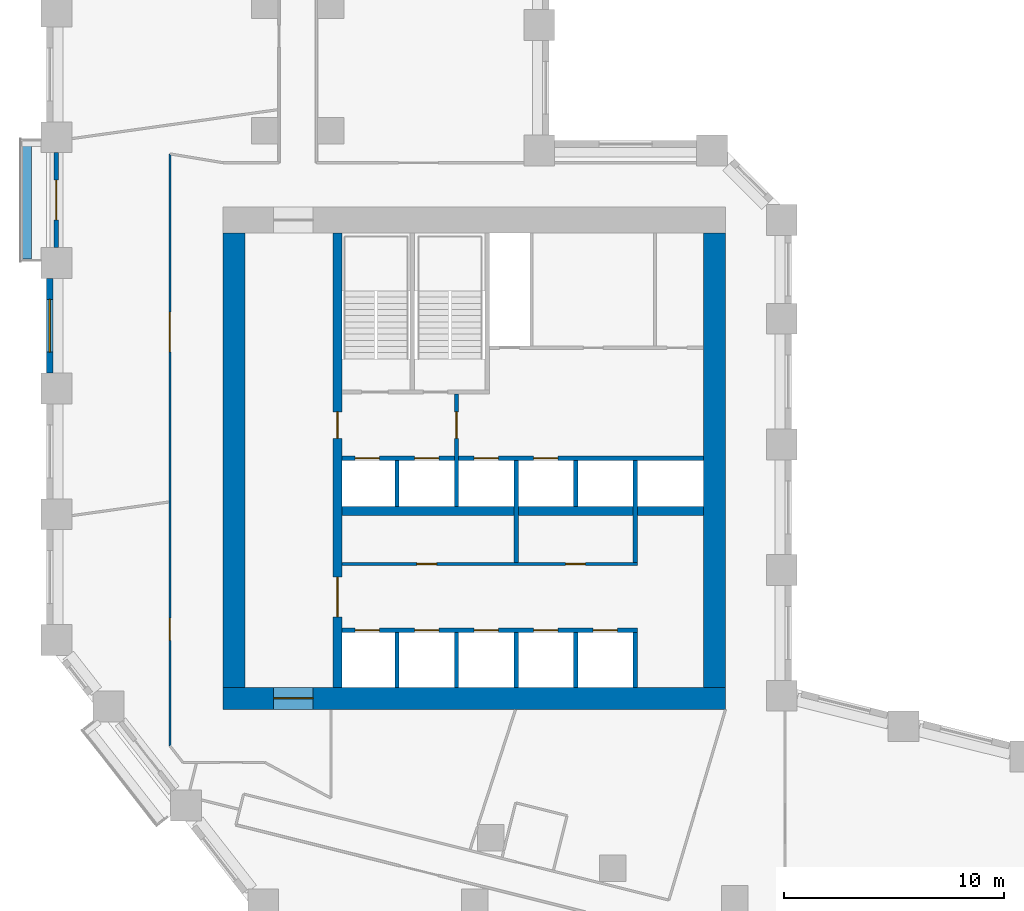
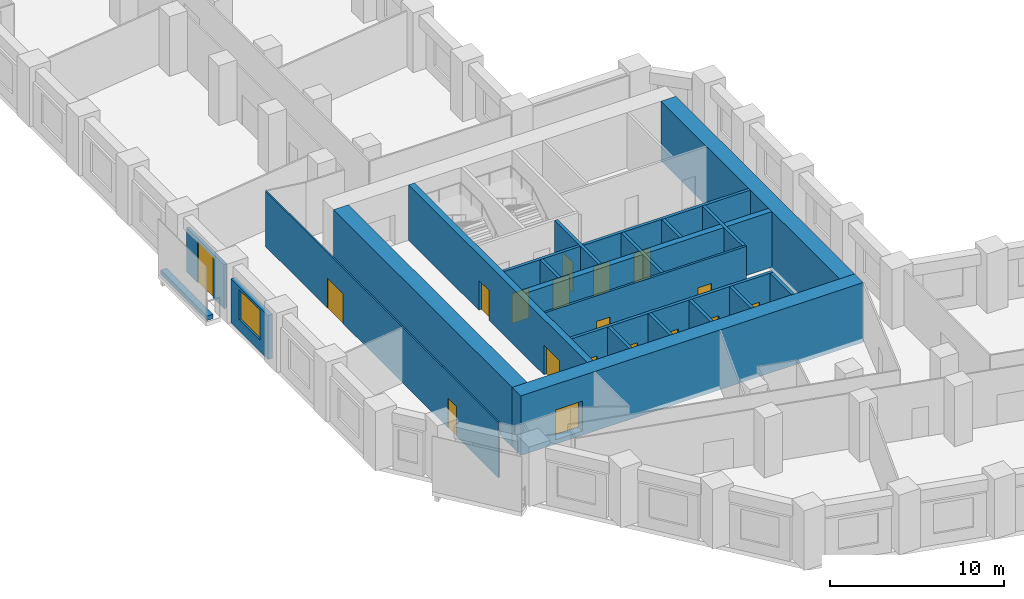
# One storey, part 5 of 12: 22 walls, 18 doors, 1 window, 19 openings.
"""IFC4 building model written with IfcOpenShell, lengths in metres."""

from ifc_helpers import new_model, si_unit, direction, frame, frame_2d, origin, place, context, subcontext, project, spatial, rectangle, extrude, material, layer, layer_set, type_object, element, fill, save


model = new_model("IFC4")

# Units and contexts
model_context = context("Model", 3, precision=1e-05, world=origin(), true_north=direction((0.0, 1.0)))
body_context = subcontext(model_context, "Body", "Model", "MODEL_VIEW")
ifc_project = project(units=[si_unit("LENGTHUNIT", "METRE"), si_unit("AREAUNIT", "SQUARE_METRE"), si_unit("VOLUMEUNIT", "CUBIC_METRE"), si_unit("PLANEANGLEUNIT", "RADIAN"), si_unit("MASSUNIT", "GRAM", prefix="KILO")], contexts=[model_context])

# Site, building, storey
site_placement = place(None, origin())
site = spatial("IfcSite", under=ifc_project, at=site_placement, CompositionType="ELEMENT")
building_placement = place(site_placement, origin())
building = spatial("IfcBuilding", under=site, at=building_placement, Name="Meshkara Civic Tower", CompositionType="ELEMENT")
storey_placement = place(building_placement, frame((0.0, 0.0, 62.39990234375)))
storey = spatial("IfcBuildingStorey", under=building, at=storey_placement, Name="L13", CompositionType="ELEMENT", Elevation=62.39990234375)

# Wall, openings, doors
ifc_material_1 = material(Name="Blockwork", Category="masonry")
ifc_layer_1 = layer(ifc_material_1, 0.14990234375)
ifc_layer_set_1 = layer_set([ifc_layer_1], Name="Core partition 150")
wall_type_1 = type_object("IfcWallType", Name="Core partition 150", PredefinedType="PARTITIONING", material=ifc_layer_set_1)
wall_1_placement = place(storey_placement, frame((13.39990234375, 20.699951171875, 0.0), z_axis=(0.0, 0.0, 1.0), x_axis=(1.0, 0.0, 0.0)))
wall_1 = element("IfcWall", 1, at=wall_1_placement, inside=storey, type_object=wall_type_1, Name="L13-C006", PredefinedType="PARTITIONING", context=body_context, shape_type="SweptSolid", body=[
    extrude(rectangle(XDim=13.400146484375, YDim=0.14990234375, at=frame_2d((6.7001953125, 0.0))), origin(), (0.0, 0.0, 1.0), 3.900146484375),
])
opening_1_placement = place(wall_1_placement, frame((3.39990234375, 0.0, 0.0)))
opening_1 = element("IfcOpeningElement", 2, at=opening_1_placement, cuts=wall_1, Name="Opening L13-K010", PredefinedType="OPENING", context=body_context, shape_type="SweptSolid", body=[
    extrude(rectangle(XDim=0.89990234375, YDim=2.10009765625, at=frame_2d((0.449951171875, 1.050048828125))), frame((0.0, 0.0849609375, 0.0), z_axis=(0.0, -1.0, 0.0), x_axis=(1.0, 0.0, 0.0)), (0.0, 0.0, 1.0), 0.169921875),
])
opening_2_placement = place(wall_1_placement, frame((10.14990234375, 0.0, 0.0)))
opening_2 = element("IfcOpeningElement", 3, at=opening_2_placement, cuts=wall_1, Name="Opening L13-K011", PredefinedType="OPENING", context=body_context, shape_type="SweptSolid", body=[
    extrude(rectangle(XDim=0.89990234375, YDim=2.10009765625, at=frame_2d((0.449951171875, 1.050048828125))), frame((0.0, 0.0849609375, 0.0), z_axis=(0.0, -1.0, 0.0), x_axis=(1.0, 0.0, 0.0)), (0.0, 0.0, 1.0), 0.169921875),
])
ifc_material_2 = material(Name="Timber door leaf in steel frame", Category="steel")
door_type_1 = type_object("IfcDoorType", Name="Core room door 900", OperationType="SINGLE_SWING_LEFT", PredefinedType="DOOR", material=ifc_material_2)
door_1_placement = place(opening_1_placement, origin())
door_1 = element("IfcDoor", 4, at=door_1_placement, inside=storey, type_object=door_type_1, Name="L13-K010", OperationType="SINGLE_SWING_RIGHT", OverallHeight=2.10009765625, OverallWidth=0.89990234375, PredefinedType="DOOR", context=body_context, shape_type="SweptSolid", body=[
    extrude(rectangle(XDim=0.89990234375, YDim=2.10009765625, at=frame_2d((0.449951171875, 1.050048828125))), frame((0.0, 0.02490234375, 0.0), z_axis=(0.0, -1.0, 0.0), x_axis=(1.0, 0.0, 0.0)), (0.0, 0.0, 1.0), 0.050048828125),
])
fill(opening_1, door_1)
door_2_placement = place(opening_2_placement, origin())
door_2 = element("IfcDoor", 5, at=door_2_placement, inside=storey, type_object=door_type_1, Name="L13-K011", OperationType="SINGLE_SWING_RIGHT", OverallHeight=2.10009765625, OverallWidth=0.89990234375, PredefinedType="DOOR", context=body_context, shape_type="SweptSolid", body=[
    extrude(rectangle(XDim=0.89990234375, YDim=2.10009765625, at=frame_2d((0.449951171875, 1.050048828125))), frame((0.0, 0.02490234375, 0.0), z_axis=(0.0, -1.0, 0.0), x_axis=(1.0, 0.0, 0.0)), (0.0, 0.0, 1.0), 0.050048828125),
])
fill(opening_2, door_2)

# Wall, opening, door
ifc_material_3 = material(Name="Concrete C80", Category="concrete")
ifc_layer_2 = layer(ifc_material_3, 1.0)
ifc_layer_set_2 = layer_set([ifc_layer_2], Name="Core ring wall 1000 C80")
wall_type_2 = type_object("IfcWallType", Name="Core ring wall 1000 C80", PredefinedType="SHEAR", material=ifc_layer_set_2)
wall_2_placement = place(storey_placement, frame((8.0, 14.60009765625, -0.2998046875), z_axis=(0.0, 0.0, 1.0), x_axis=(1.0, 0.0, 0.0)))
wall_2 = element("IfcWall", 6, at=wall_2_placement, inside=storey, type_object=wall_type_2, Name="L13-C001", PredefinedType="SHEAR", context=body_context, shape_type="SweptSolid", body=[
    extrude(rectangle(XDim=22.800048828125, YDim=1.0, at=frame_2d((11.39990234375, 0.0))), origin(), (0.0, 0.0, 1.0), 4.199951171875),
])
opening_3_placement = place(wall_2_placement, frame((2.300048828125, 0.0, 0.300048828125)))
opening_3 = element("IfcOpeningElement", 7, at=opening_3_placement, cuts=wall_2, Name="Opening L13-K021", PredefinedType="OPENING", context=body_context, shape_type="SweptSolid", body=[
    extrude(rectangle(XDim=1.800048828125, YDim=2.10009765625, at=frame_2d((0.89990234375, 1.050048828125))), frame((0.0, 0.510009765625, 0.0), z_axis=(0.0, -1.0, 0.0), x_axis=(1.0, 0.0, 0.0)), (0.0, 0.0, 1.0), 1.02001953125),
])
ifc_material_4 = material(Name="Fire-rated door leaf in steel frame", Category="steel")
door_type_2 = type_object("IfcDoorType", Name="Core double door 1800 EI 60", OperationType="DOUBLE_DOOR_SINGLE_SWING", PredefinedType="DOOR", material=ifc_material_4)
door_3_placement = place(opening_3_placement, origin())
door_3 = element("IfcDoor", 8, at=door_3_placement, inside=storey, type_object=door_type_2, Name="L13-K021", OperationType="DOUBLE_DOOR_SINGLE_SWING", OverallHeight=2.10009765625, OverallWidth=1.800048828125, PredefinedType="DOOR", context=body_context, shape_type="SweptSolid", body=[
    extrude(rectangle(XDim=1.800048828125, YDim=2.10009765625, at=frame_2d((0.89990234375, 1.050048828125))), frame((0.0, 0.02490234375, 0.0), z_axis=(0.0, -1.0, 0.0), x_axis=(1.0, 0.0, 0.0)), (0.0, 0.0, 1.0), 0.050048828125),
])
fill(opening_3, door_3)

# Walls
for number, where, z_axis, x_axis, name in (
    (9, (8.5, 15.10009765625, -0.2998046875), (0.0, 0.0, 1.0), (0.0, 1.0, 0.0), "L13-C003"),
    (10, (30.300048828125, 15.10009765625, -0.2998046875), (0.0, 0.0, 1.0), (0.0, 1.0, 0.0), "L13-C004"),
):
    element("IfcWall", number, at=place(storey_placement, frame(where, z_axis=z_axis, x_axis=x_axis)), inside=storey, type_object=wall_type_2, Name=name, PredefinedType="SHEAR", context=body_context, shape_type="SweptSolid", body=[
        extrude(rectangle(XDim=20.599853515625, YDim=1.0, at=frame_2d((10.2998046875, 0.0))), origin(), (0.0, 0.0, 1.0), 4.199951171875),
    ])
ifc_material_5 = material(Name="Concrete C80", Category="concrete")
ifc_layer_3 = layer(ifc_material_5, 0.39990234375)
ifc_layer_set_3 = layer_set([ifc_layer_3], Name="Core shear wall 400 C80")
wall_type_3 = type_object("IfcWallType", Name="Core shear wall 400 C80", PredefinedType="SHEAR", material=ifc_layer_set_3)
wall_3_placement = place(storey_placement, frame((13.39990234375, 23.10009765625, 0.0), z_axis=(0.0, 0.0, 1.0), x_axis=(1.0, 0.0, 0.0)))
element("IfcWall", 11, at=wall_3_placement, inside=storey, type_object=wall_type_3, Name="L13-C007", PredefinedType="SHEAR", context=body_context, shape_type="SweptSolid", body=[
    extrude(rectangle(XDim=16.400146484375, YDim=0.39990234375, at=frame_2d((8.2001953125, 0.0))), origin(), (0.0, 0.0, 1.0), 3.900146484375),
])

# Wall, openings, doors
wall_4_placement = place(storey_placement, frame((13.199951171875, 15.10009765625, 0.0), z_axis=(0.0, 0.0, 1.0), x_axis=(0.0, 1.0, 0.0)))
wall_4 = element("IfcWall", 12, at=wall_4_placement, inside=storey, type_object=wall_type_3, Name="L13-C011", PredefinedType="SHEAR", context=body_context, shape_type="SweptSolid", body=[
    extrude(rectangle(XDim=20.599853515625, YDim=0.39990234375, at=frame_2d((10.2998046875, 0.0))), origin(), (0.0, 0.0, 1.0), 3.900146484375),
])
opening_4_placement = place(wall_4_placement, frame((3.199951171875, 0.0, 0.0)))
opening_4 = element("IfcOpeningElement", 13, at=opening_4_placement, cuts=wall_4, Name="Opening L13-K017", PredefinedType="OPENING", context=body_context, shape_type="SweptSolid", body=[
    extrude(rectangle(XDim=1.800048828125, YDim=2.10009765625, at=frame_2d((0.89990234375, 1.050048828125))), frame((0.0, 0.2099609375, 0.0), z_axis=(0.0, -1.0, 0.0), x_axis=(1.0, 0.0, 0.0)), (0.0, 0.0, 1.0), 0.419921875),
])
opening_5_placement = place(wall_4_placement, frame((11.300048828125, 0.0, 0.0)))
opening_5 = element("IfcOpeningElement", 14, at=opening_5_placement, cuts=wall_4, Name="Opening L13-K018", PredefinedType="OPENING", context=body_context, shape_type="SweptSolid", body=[
    extrude(rectangle(XDim=1.199951171875, YDim=2.10009765625, at=frame_2d((0.60009765625, 1.050048828125))), frame((0.0, 0.2099609375, 0.0), z_axis=(0.0, -1.0, 0.0), x_axis=(1.0, 0.0, 0.0)), (0.0, 0.0, 1.0), 0.419921875),
])
door_4_placement = place(opening_4_placement, origin())
door_4 = element("IfcDoor", 15, at=door_4_placement, inside=storey, type_object=door_type_2, Name="L13-K017", OperationType="DOUBLE_DOOR_SINGLE_SWING", OverallHeight=2.10009765625, OverallWidth=1.800048828125, PredefinedType="DOOR", context=body_context, shape_type="SweptSolid", body=[
    extrude(rectangle(XDim=1.800048828125, YDim=2.10009765625, at=frame_2d((0.89990234375, 1.050048828125))), frame((0.0, 0.02490234375, 0.0), z_axis=(0.0, -1.0, 0.0), x_axis=(1.0, 0.0, 0.0)), (0.0, 0.0, 1.0), 0.050048828125),
])
fill(opening_4, door_4)
ifc_material_6 = material(Name="Fire-rated door leaf in steel frame", Category="steel")
door_type_3 = type_object("IfcDoorType", Name="Fire-fighting lobby door 1200 EI 120", OperationType="SINGLE_SWING_LEFT", PredefinedType="DOOR", material=ifc_material_6)
door_5_placement = place(opening_5_placement, origin())
door_5 = element("IfcDoor", 16, at=door_5_placement, inside=storey, type_object=door_type_3, Name="L13-K018", OperationType="SINGLE_SWING_LEFT", OverallHeight=2.10009765625, OverallWidth=1.199951171875, PredefinedType="DOOR", context=body_context, shape_type="SweptSolid", body=[
    extrude(rectangle(XDim=1.199951171875, YDim=2.10009765625, at=frame_2d((0.60009765625, 1.050048828125))), frame((0.0, 0.02490234375, 0.0), z_axis=(0.0, -1.0, 0.0), x_axis=(1.0, 0.0, 0.0)), (0.0, 0.0, 1.0), 0.050048828125),
])
fill(opening_5, door_5)

ifc_material_7 = material(Name="Corridor wall 100")
ifc_layer_4 = layer(ifc_material_7, 0.10009765625)
ifc_layer_set_4 = layer_set([ifc_layer_4], Name="Corridor wall 100")
wall_type_4 = type_object("IfcWallType", Name="Corridor wall 100", PredefinedType="PARTITIONING", material=ifc_layer_set_4)
wall_5_placement = place(storey_placement, frame((5.60009765625, 39.300048828125, 0.0), z_axis=(0.0, 0.0, 1.0), x_axis=(0.0, -1.0, 0.0)))
wall_5 = element("IfcWall", 17, at=wall_5_placement, inside=storey, type_object=wall_type_4, Name="L13-W004", PredefinedType="PARTITIONING", context=body_context, shape_type="SweptSolid", body=[
    extrude(rectangle(XDim=26.85107421875, YDim=0.10009765625, at=frame_2d((13.425537109375, 0.0))), origin(), (0.0, 0.0, 1.0), 3.900146484375),
])
opening_6_placement = place(wall_5_placement, frame((21.06298828125, 0.0, 0.0)))
opening_6 = element("IfcOpeningElement", 18, at=opening_6_placement, cuts=wall_5, Name="Opening L13-D017", PredefinedType="OPENING", context=body_context, shape_type="SweptSolid", body=[
    extrude(rectangle(XDim=1.0, YDim=2.10009765625, at=frame_2d((0.5, 1.050048828125))), frame((0.0, 0.06005859375, 0.0), z_axis=(0.0, -1.0, 0.0), x_axis=(1.0, 0.0, 0.0)), (0.0, 0.0, 1.0), 0.1201171875),
])
opening_7_placement = place(wall_5_placement, frame((7.179931640625, 0.0, 0.0)))
opening_7 = element("IfcOpeningElement", 19, at=opening_7_placement, cuts=wall_5, Name="Opening L13-D018", PredefinedType="OPENING", context=body_context, shape_type="SweptSolid", body=[
    extrude(rectangle(XDim=1.800048828125, YDim=2.10009765625, at=frame_2d((0.89990234375, 1.050048828125))), frame((0.0, 0.06005859375, 0.0), z_axis=(0.0, -1.0, 0.0), x_axis=(1.0, 0.0, 0.0)), (0.0, 0.0, 1.0), 0.1201171875),
])
ifc_material_8 = material(Name="Door 1000 x 2100")
door_type_4 = type_object("IfcDoorType", Name="Door 1000 x 2100", OperationType="SINGLE_SWING_LEFT", PredefinedType="DOOR", material=ifc_material_8)
door_6_placement = place(opening_6_placement, origin())
door_6 = element("IfcDoor", 20, at=door_6_placement, inside=storey, type_object=door_type_4, Name="L13-D017", OperationType="SINGLE_SWING_LEFT", OverallHeight=2.10009765625, OverallWidth=1.0, PredefinedType="DOOR", context=body_context, shape_type="SweptSolid", body=[
    extrude(rectangle(XDim=1.0, YDim=2.10009765625, at=frame_2d((0.5, 1.050048828125))), frame((0.0, 0.02490234375, 0.0), z_axis=(0.0, -1.0, 0.0), x_axis=(1.0, 0.0, 0.0)), (0.0, 0.0, 1.0), 0.050048828125),
])
fill(opening_6, door_6)
ifc_material_9 = material(Name="Door pair 1800 x 2100")
door_type_5 = type_object("IfcDoorType", Name="Door pair 1800 x 2100", OperationType="SINGLE_SWING_LEFT", PredefinedType="DOOR", material=ifc_material_9)
door_7_placement = place(opening_7_placement, origin())
door_7 = element("IfcDoor", 21, at=door_7_placement, inside=storey, type_object=door_type_5, Name="L13-D018", OperationType="DOUBLE_DOOR_SINGLE_SWING", OverallHeight=2.10009765625, OverallWidth=1.800048828125, PredefinedType="DOOR", context=body_context, shape_type="SweptSolid", body=[
    extrude(rectangle(XDim=1.800048828125, YDim=2.10009765625, at=frame_2d((0.89990234375, 1.050048828125))), frame((0.0, 0.02490234375, 0.0), z_axis=(0.0, -1.0, 0.0), x_axis=(1.0, 0.0, 0.0)), (0.0, 0.0, 1.0), 0.050048828125),
])
fill(opening_7, door_7)

# Wall, opening, window
ifc_material_10 = material(Name="Insulated infill panel with bronze anodised aluminium cladding", Category="aluminium")
ifc_layer_5 = layer(ifc_material_10, 0.300048828125)
ifc_layer_set_5 = layer_set([ifc_layer_5], Name="EXTERNAL INFILL WALL 300")
wall_type_5 = type_object("IfcWallType", Name="EXTERNAL INFILL WALL 300", PredefinedType="SOLIDWALL", material=ifc_layer_set_5)
wall_6_placement = place(storey_placement, frame((0.14990234375, 33.655029296875, 0.0), z_axis=(0.0, 0.0, 1.0), x_axis=(0.0, -1.0, 0.0)))
wall_6 = element("IfcWall", 22, at=wall_6_placement, inside=storey, type_object=wall_type_5, Name="External wall", PredefinedType="SOLIDWALL", context=body_context, shape_type="SweptSolid", body=[
    extrude(rectangle(XDim=4.300048828125, YDim=0.300048828125, at=frame_2d((2.14990234375, 0.0))), origin(), (0.0, 0.0, 1.0), 3.10009765625),
])
opening_8_placement = place(wall_6_placement, frame((0.949951171875, 0.0, 0.800048828125)))
opening_8 = element("IfcOpeningElement", 23, at=opening_8_placement, cuts=wall_6, Name="Opening W7", PredefinedType="OPENING", context=body_context, shape_type="SweptSolid", body=[
    extrude(rectangle(XDim=2.39990234375, YDim=2.10009765625, at=frame_2d((1.199951171875, 1.050048828125))), frame((0.0, 0.159912109375, 0.0), z_axis=(0.0, -1.0, 0.0), x_axis=(1.0, 0.0, 0.0)), (0.0, 0.0, 1.0), 0.320068359375),
])
ifc_material_11 = material(Name="Tinted double glazing", Category="glass")
window_type = type_object("IfcWindowType", Name="WINDOW 2400x2100", PartitioningType="DOUBLE_PANEL_VERTICAL", PredefinedType="WINDOW", material=ifc_material_11)
window_placement = place(opening_8_placement, origin())
window = element("IfcWindow", 24, at=window_placement, inside=storey, type_object=window_type, Name="Window", OverallHeight=2.10009765625, OverallWidth=2.39990234375, PartitioningType="DOUBLE_PANEL_VERTICAL", PredefinedType="WINDOW", context=body_context, shape_type="SweptSolid", body=[
    extrude(rectangle(XDim=2.39990234375, YDim=2.10009765625, at=frame_2d((1.199951171875, 1.050048828125))), frame((0.0, 0.030029296875, 0.0), z_axis=(0.0, -1.0, 0.0), x_axis=(1.0, 0.0, 0.0)), (0.0, 0.0, 1.0), 0.06005859375),
])
fill(opening_8, window)

# Wall, opening, door
ifc_material_12 = material(Name="Insulated infill panel with bronze anodised aluminium cladding", Category="aluminium")
ifc_layer_6 = layer(ifc_material_12, 0.199951171875)
ifc_layer_set_6 = layer_set([ifc_layer_6], Name="LOGGIA BACK WALL 200")
wall_type_6 = type_object("IfcWallType", Name="LOGGIA BACK WALL 200", PredefinedType="SOLIDWALL", material=ifc_layer_set_6)
wall_7_placement = place(storey_placement, frame((0.449951171875, 39.35400390625, 0.0), z_axis=(0.0, 0.0, 1.0), x_axis=(0.0, -1.0, 0.0)))
wall_7 = element("IfcWall", 25, at=wall_7_placement, inside=storey, type_object=wall_type_6, Name="Loggia wall", PredefinedType="SOLIDWALL", context=body_context, shape_type="SweptSolid", body=[
    extrude(rectangle(XDim=4.298095703125, YDim=0.199951171875, at=frame_2d((2.14892578125, 0.0))), origin(), (0.0, 0.0, 1.0), 3.10009765625),
])
opening_9_placement = place(wall_7_placement, frame((1.2490234375, 0.0, 0.0)))
opening_9 = element("IfcOpeningElement", 26, at=opening_9_placement, cuts=wall_7, Name="Opening L13-L002", PredefinedType="OPENING", context=body_context, shape_type="SweptSolid", body=[
    extrude(rectangle(XDim=1.800048828125, YDim=2.89990234375, at=frame_2d((0.89990234375, 1.449951171875))), frame((0.0, 0.10986328125, 0.0), z_axis=(0.0, -1.0, 0.0), x_axis=(1.0, 0.0, 0.0)), (0.0, 0.0, 1.0), 0.219970703125),
])
ifc_material_13 = material(Name="Tinted double glazing", Category="glass")
door_type_6 = type_object("IfcDoorType", Name="LOGGIA DOOR 1800x2900", OperationType="DOUBLE_DOOR_SINGLE_SWING", PredefinedType="DOOR", material=ifc_material_13)
door_8_placement = place(opening_9_placement, origin())
door_8 = element("IfcDoor", 27, at=door_8_placement, inside=storey, type_object=door_type_6, Name="L13-L002", OperationType="DOUBLE_DOOR_SINGLE_SWING", OverallHeight=2.89990234375, OverallWidth=1.800048828125, PredefinedType="DOOR", context=body_context, shape_type="SweptSolid", body=[
    extrude(rectangle(XDim=1.800048828125, YDim=2.89990234375, at=frame_2d((0.89990234375, 1.449951171875))), frame((0.0, 0.02490234375, 0.0), z_axis=(0.0, -1.0, 0.0), x_axis=(1.0, 0.0, 0.0)), (0.0, 0.0, 1.0), 0.050048828125),
])
fill(opening_9, door_8)

# Wall
ifc_material_14 = material(Name="Concrete C40", Category="concrete")
ifc_layer_7 = layer(ifc_material_14, 0.39990234375)
ifc_layer_set_7 = layer_set([ifc_layer_7], Name="PLANTER TRAY")
wall_type_7 = type_object("IfcWallType", Name="PLANTER TRAY", PredefinedType="SOLIDWALL", material=ifc_layer_set_7)
wall_8_placement = place(storey_placement, frame((-0.8798828125, 39.885009765625, 0.0), z_axis=(0.0, 0.0, 1.0), x_axis=(0.0, -1.0, 0.0)))
element("IfcWall", 28, at=wall_8_placement, inside=storey, type_object=wall_type_7, Name="Planter", PredefinedType="SOLIDWALL", context=body_context, shape_type="SweptSolid", body=[
    extrude(rectangle(XDim=5.360107421875, YDim=0.39990234375, at=frame_2d((2.68017578125, 0.0))), origin(), (0.0, 0.0, 1.0), 0.300048828125),
])

# Wall, openings, doors
ifc_material_15 = material(Name="Concrete C40/50", Category="concrete")
ifc_layer_8 = layer(ifc_material_15, 0.199951171875)
ifc_layer_set_8 = layer_set([ifc_layer_8], Name="Shaft wall 200 C40/50")
wall_type_8 = type_object("IfcWallType", Name="Shaft wall 200 C40/50", PredefinedType="SOLIDWALL", material=ifc_layer_set_8)
wall_9_placement = place(storey_placement, frame((13.39990234375, 17.699951171875, 0.0), z_axis=(0.0, 0.0, 1.0), x_axis=(1.0, 0.0, 0.0)))
wall_9 = element("IfcWall", 29, at=wall_9_placement, inside=storey, type_object=wall_type_8, Name="L13-C005", PredefinedType="SOLIDWALL", context=body_context, shape_type="SweptSolid", body=[
    extrude(rectangle(XDim=13.400146484375, YDim=0.199951171875, at=frame_2d((6.7001953125, 0.0))), origin(), (0.0, 0.0, 1.0), 3.900146484375),
])
opening_10_placement = place(wall_9_placement, frame((0.60009765625, 0.0, 0.0)))
opening_10 = element("IfcOpeningElement", 30, at=opening_10_placement, cuts=wall_9, Name="Opening L13-K001", PredefinedType="OPENING", context=body_context, shape_type="SweptSolid", body=[
    extrude(rectangle(XDim=1.10009765625, YDim=2.10009765625, at=frame_2d((0.550048828125, 1.050048828125))), frame((0.0, 0.10986328125, 0.0), z_axis=(0.0, -1.0, 0.0), x_axis=(1.0, 0.0, 0.0)), (0.0, 0.0, 1.0), 0.219970703125),
])
opening_11_placement = place(wall_9_placement, frame((3.300048828125, 0.0, 0.0)))
opening_11 = element("IfcOpeningElement", 31, at=opening_11_placement, cuts=wall_9, Name="Opening L13-K002", PredefinedType="OPENING", context=body_context, shape_type="SweptSolid", body=[
    extrude(rectangle(XDim=1.10009765625, YDim=2.10009765625, at=frame_2d((0.550048828125, 1.050048828125))), frame((0.0, 0.10986328125, 0.0), z_axis=(0.0, -1.0, 0.0), x_axis=(1.0, 0.0, 0.0)), (0.0, 0.0, 1.0), 0.219970703125),
])
opening_12_placement = place(wall_9_placement, frame((6.0, 0.0, 0.0)))
opening_12 = element("IfcOpeningElement", 32, at=opening_12_placement, cuts=wall_9, Name="Opening L13-K003", PredefinedType="OPENING", context=body_context, shape_type="SweptSolid", body=[
    extrude(rectangle(XDim=1.10009765625, YDim=2.10009765625, at=frame_2d((0.550048828125, 1.050048828125))), frame((0.0, 0.10986328125, 0.0), z_axis=(0.0, -1.0, 0.0), x_axis=(1.0, 0.0, 0.0)), (0.0, 0.0, 1.0), 0.219970703125),
])
opening_13_placement = place(wall_9_placement, frame((8.699951171875, 0.0, 0.0)))
opening_13 = element("IfcOpeningElement", 33, at=opening_13_placement, cuts=wall_9, Name="Opening L13-K004", PredefinedType="OPENING", context=body_context, shape_type="SweptSolid", body=[
    extrude(rectangle(XDim=1.10009765625, YDim=2.10009765625, at=frame_2d((0.550048828125, 1.050048828125))), frame((0.0, 0.10986328125, 0.0), z_axis=(0.0, -1.0, 0.0), x_axis=(1.0, 0.0, 0.0)), (0.0, 0.0, 1.0), 0.219970703125),
])
opening_14_placement = place(wall_9_placement, frame((11.39990234375, 0.0, 0.0)))
opening_14 = element("IfcOpeningElement", 34, at=opening_14_placement, cuts=wall_9, Name="Opening L13-K005", PredefinedType="OPENING", context=body_context, shape_type="SweptSolid", body=[
    extrude(rectangle(XDim=1.10009765625, YDim=2.10009765625, at=frame_2d((0.550048828125, 1.050048828125))), frame((0.0, 0.10986328125, 0.0), z_axis=(0.0, -1.0, 0.0), x_axis=(1.0, 0.0, 0.0)), (0.0, 0.0, 1.0), 0.219970703125),
])
ifc_material_16 = material(Name="Stainless steel landing door", Category="steel")
door_type_7 = type_object("IfcDoorType", Name="Lift landing door 1100", OperationType="SLIDING_TO_LEFT", PredefinedType="DOOR", material=ifc_material_16)
door_9_placement = place(opening_10_placement, origin())
door_9 = element("IfcDoor", 35, at=door_9_placement, inside=storey, type_object=door_type_7, Name="L13-K001", OperationType="SLIDING_TO_LEFT", OverallHeight=2.10009765625, OverallWidth=1.10009765625, PredefinedType="DOOR", context=body_context, shape_type="SweptSolid", body=[
    extrude(rectangle(XDim=1.10009765625, YDim=2.10009765625, at=frame_2d((0.550048828125, 1.050048828125))), frame((0.0, 0.02490234375, 0.0), z_axis=(0.0, -1.0, 0.0), x_axis=(1.0, 0.0, 0.0)), (0.0, 0.0, 1.0), 0.050048828125),
])
fill(opening_10, door_9)
door_10_placement = place(opening_11_placement, origin())
door_10 = element("IfcDoor", 36, at=door_10_placement, inside=storey, type_object=door_type_7, Name="L13-K002", OperationType="SLIDING_TO_LEFT", OverallHeight=2.10009765625, OverallWidth=1.10009765625, PredefinedType="DOOR", context=body_context, shape_type="SweptSolid", body=[
    extrude(rectangle(XDim=1.10009765625, YDim=2.10009765625, at=frame_2d((0.550048828125, 1.050048828125))), frame((0.0, 0.02490234375, 0.0), z_axis=(0.0, -1.0, 0.0), x_axis=(1.0, 0.0, 0.0)), (0.0, 0.0, 1.0), 0.050048828125),
])
fill(opening_11, door_10)
door_11_placement = place(opening_12_placement, origin())
door_11 = element("IfcDoor", 37, at=door_11_placement, inside=storey, type_object=door_type_7, Name="L13-K003", OperationType="SLIDING_TO_LEFT", OverallHeight=2.10009765625, OverallWidth=1.10009765625, PredefinedType="DOOR", context=body_context, shape_type="SweptSolid", body=[
    extrude(rectangle(XDim=1.10009765625, YDim=2.10009765625, at=frame_2d((0.550048828125, 1.050048828125))), frame((0.0, 0.02490234375, 0.0), z_axis=(0.0, -1.0, 0.0), x_axis=(1.0, 0.0, 0.0)), (0.0, 0.0, 1.0), 0.050048828125),
])
fill(opening_12, door_11)
door_12_placement = place(opening_13_placement, origin())
door_12 = element("IfcDoor", 38, at=door_12_placement, inside=storey, type_object=door_type_7, Name="L13-K004", OperationType="SLIDING_TO_LEFT", OverallHeight=2.10009765625, OverallWidth=1.10009765625, PredefinedType="DOOR", context=body_context, shape_type="SweptSolid", body=[
    extrude(rectangle(XDim=1.10009765625, YDim=2.10009765625, at=frame_2d((0.550048828125, 1.050048828125))), frame((0.0, 0.02490234375, 0.0), z_axis=(0.0, -1.0, 0.0), x_axis=(1.0, 0.0, 0.0)), (0.0, 0.0, 1.0), 0.050048828125),
])
fill(opening_13, door_12)
door_13_placement = place(opening_14_placement, origin())
door_13 = element("IfcDoor", 39, at=door_13_placement, inside=storey, type_object=door_type_7, Name="L13-K005", OperationType="SLIDING_TO_LEFT", OverallHeight=2.10009765625, OverallWidth=1.10009765625, PredefinedType="DOOR", context=body_context, shape_type="SweptSolid", body=[
    extrude(rectangle(XDim=1.10009765625, YDim=2.10009765625, at=frame_2d((0.550048828125, 1.050048828125))), frame((0.0, 0.02490234375, 0.0), z_axis=(0.0, -1.0, 0.0), x_axis=(1.0, 0.0, 0.0)), (0.0, 0.0, 1.0), 0.050048828125),
])
fill(opening_14, door_13)

wall_10_placement = place(storey_placement, frame((13.39990234375, 25.5, 0.0), z_axis=(0.0, 0.0, 1.0), x_axis=(1.0, 0.0, 0.0)))
wall_10 = element("IfcWall", 40, at=wall_10_placement, inside=storey, type_object=wall_type_8, Name="L13-C008", PredefinedType="SOLIDWALL", context=body_context, shape_type="SweptSolid", body=[
    extrude(rectangle(XDim=16.400146484375, YDim=0.199951171875, at=frame_2d((8.2001953125, 0.0))), origin(), (0.0, 0.0, 1.0), 3.900146484375),
])
opening_15_placement = place(wall_10_placement, frame((0.60009765625, 0.0, 0.0)))
opening_15 = element("IfcOpeningElement", 41, at=opening_15_placement, cuts=wall_10, Name="Opening L13-K006", PredefinedType="OPENING", context=body_context, shape_type="SweptSolid", body=[
    extrude(rectangle(XDim=1.10009765625, YDim=2.10009765625, at=frame_2d((0.550048828125, 1.050048828125))), frame((0.0, 0.10986328125, 0.0), z_axis=(0.0, -1.0, 0.0), x_axis=(1.0, 0.0, 0.0)), (0.0, 0.0, 1.0), 0.219970703125),
])
opening_16_placement = place(wall_10_placement, frame((3.300048828125, 0.0, 0.0)))
opening_16 = element("IfcOpeningElement", 42, at=opening_16_placement, cuts=wall_10, Name="Opening L13-K007", PredefinedType="OPENING", context=body_context, shape_type="SweptSolid", body=[
    extrude(rectangle(XDim=1.10009765625, YDim=2.10009765625, at=frame_2d((0.550048828125, 1.050048828125))), frame((0.0, 0.10986328125, 0.0), z_axis=(0.0, -1.0, 0.0), x_axis=(1.0, 0.0, 0.0)), (0.0, 0.0, 1.0), 0.219970703125),
])
opening_17_placement = place(wall_10_placement, frame((6.0, 0.0, 0.0)))
opening_17 = element("IfcOpeningElement", 43, at=opening_17_placement, cuts=wall_10, Name="Opening L13-K008", PredefinedType="OPENING", context=body_context, shape_type="SweptSolid", body=[
    extrude(rectangle(XDim=1.10009765625, YDim=2.10009765625, at=frame_2d((0.550048828125, 1.050048828125))), frame((0.0, 0.10986328125, 0.0), z_axis=(0.0, -1.0, 0.0), x_axis=(1.0, 0.0, 0.0)), (0.0, 0.0, 1.0), 0.219970703125),
])
opening_18_placement = place(wall_10_placement, frame((8.699951171875, 0.0, 0.0)))
opening_18 = element("IfcOpeningElement", 44, at=opening_18_placement, cuts=wall_10, Name="Opening L13-K009", PredefinedType="OPENING", context=body_context, shape_type="SweptSolid", body=[
    extrude(rectangle(XDim=1.10009765625, YDim=2.10009765625, at=frame_2d((0.550048828125, 1.050048828125))), frame((0.0, 0.10986328125, 0.0), z_axis=(0.0, -1.0, 0.0), x_axis=(1.0, 0.0, 0.0)), (0.0, 0.0, 1.0), 0.219970703125),
])
door_14_placement = place(opening_15_placement, origin())
door_14 = element("IfcDoor", 45, at=door_14_placement, inside=storey, type_object=door_type_7, Name="L13-K006", OperationType="SLIDING_TO_LEFT", OverallHeight=2.10009765625, OverallWidth=1.10009765625, PredefinedType="DOOR", context=body_context, shape_type="SweptSolid", body=[
    extrude(rectangle(XDim=1.10009765625, YDim=2.10009765625, at=frame_2d((0.550048828125, 1.050048828125))), frame((0.0, 0.02490234375, 0.0), z_axis=(0.0, -1.0, 0.0), x_axis=(1.0, 0.0, 0.0)), (0.0, 0.0, 1.0), 0.050048828125),
])
fill(opening_15, door_14)
door_15_placement = place(opening_16_placement, origin())
door_15 = element("IfcDoor", 46, at=door_15_placement, inside=storey, type_object=door_type_7, Name="L13-K007", OperationType="SLIDING_TO_LEFT", OverallHeight=2.10009765625, OverallWidth=1.10009765625, PredefinedType="DOOR", context=body_context, shape_type="SweptSolid", body=[
    extrude(rectangle(XDim=1.10009765625, YDim=2.10009765625, at=frame_2d((0.550048828125, 1.050048828125))), frame((0.0, 0.02490234375, 0.0), z_axis=(0.0, -1.0, 0.0), x_axis=(1.0, 0.0, 0.0)), (0.0, 0.0, 1.0), 0.050048828125),
])
fill(opening_16, door_15)
door_16_placement = place(opening_17_placement, origin())
door_16 = element("IfcDoor", 47, at=door_16_placement, inside=storey, type_object=door_type_7, Name="L13-K008", OperationType="SLIDING_TO_LEFT", OverallHeight=2.10009765625, OverallWidth=1.10009765625, PredefinedType="DOOR", context=body_context, shape_type="SweptSolid", body=[
    extrude(rectangle(XDim=1.10009765625, YDim=2.10009765625, at=frame_2d((0.550048828125, 1.050048828125))), frame((0.0, 0.02490234375, 0.0), z_axis=(0.0, -1.0, 0.0), x_axis=(1.0, 0.0, 0.0)), (0.0, 0.0, 1.0), 0.050048828125),
])
fill(opening_17, door_16)
door_17_placement = place(opening_18_placement, origin())
door_17 = element("IfcDoor", 48, at=door_17_placement, inside=storey, type_object=door_type_7, Name="L13-K009", OperationType="SLIDING_TO_LEFT", OverallHeight=2.10009765625, OverallWidth=1.10009765625, PredefinedType="DOOR", context=body_context, shape_type="SweptSolid", body=[
    extrude(rectangle(XDim=1.10009765625, YDim=2.10009765625, at=frame_2d((0.550048828125, 1.050048828125))), frame((0.0, 0.02490234375, 0.0), z_axis=(0.0, -1.0, 0.0), x_axis=(1.0, 0.0, 0.0)), (0.0, 0.0, 1.0), 0.050048828125),
])
fill(opening_18, door_17)

# Walls
wall_11_placement = place(storey_placement, frame((15.89990234375, 15.10009765625, 0.0), z_axis=(0.0, 0.0, 1.0), x_axis=(0.0, 1.0, 0.0)))
element("IfcWall", 49, at=wall_11_placement, inside=storey, type_object=wall_type_8, Name="L13-C012", PredefinedType="SOLIDWALL", context=body_context, shape_type="SweptSolid", body=[
    extrude(rectangle(XDim=2.5, YDim=0.199951171875, at=frame_2d((1.25, 0.0))), origin(), (0.0, 0.0, 1.0), 3.900146484375),
])
wall_12_placement = place(storey_placement, frame((15.89990234375, 23.300048828125, 0.0), z_axis=(0.0, 0.0, 1.0), x_axis=(0.0, 1.0, 0.0)))
element("IfcWall", 50, at=wall_12_placement, inside=storey, type_object=wall_type_8, Name="L13-C013", PredefinedType="SOLIDWALL", context=body_context, shape_type="SweptSolid", body=[
    extrude(rectangle(XDim=2.099853515625, YDim=0.199951171875, at=frame_2d((1.0498046875, 0.0))), origin(), (0.0, 0.0, 1.0), 3.900146484375),
])
wall_13_placement = place(storey_placement, frame((18.60009765625, 15.10009765625, 0.0), z_axis=(0.0, 0.0, 1.0), x_axis=(0.0, 1.0, 0.0)))
element("IfcWall", 51, at=wall_13_placement, inside=storey, type_object=wall_type_8, Name="L13-C015", PredefinedType="SOLIDWALL", context=body_context, shape_type="SweptSolid", body=[
    extrude(rectangle(XDim=2.5, YDim=0.199951171875, at=frame_2d((1.25, 0.0))), origin(), (0.0, 0.0, 1.0), 3.900146484375),
])

# Wall, opening, door
wall_14_placement = place(storey_placement, frame((18.60009765625, 23.300048828125, 0.0), z_axis=(0.0, 0.0, 1.0), x_axis=(0.0, 1.0, 0.0)))
wall_14 = element("IfcWall", 52, at=wall_14_placement, inside=storey, type_object=wall_type_8, Name="L13-C016", PredefinedType="SOLIDWALL", context=body_context, shape_type="SweptSolid", body=[
    extrude(rectangle(XDim=5.099853515625, YDim=0.199951171875, at=frame_2d((2.5498046875, 0.0))), origin(), (0.0, 0.0, 1.0), 3.900146484375),
])
opening_19_placement = place(wall_14_placement, frame((3.10009765625, 0.0, 0.0)))
opening_19 = element("IfcOpeningElement", 53, at=opening_19_placement, cuts=wall_14, Name="Opening L13-K019", PredefinedType="OPENING", context=body_context, shape_type="SweptSolid", body=[
    extrude(rectangle(XDim=1.199951171875, YDim=2.10009765625, at=frame_2d((0.60009765625, 1.050048828125))), frame((0.0, 0.10986328125, 0.0), z_axis=(0.0, -1.0, 0.0), x_axis=(1.0, 0.0, 0.0)), (0.0, 0.0, 1.0), 0.219970703125),
])
door_18_placement = place(opening_19_placement, origin())
door_18 = element("IfcDoor", 54, at=door_18_placement, inside=storey, type_object=door_type_3, Name="L13-K019", OperationType="SINGLE_SWING_RIGHT", OverallHeight=2.10009765625, OverallWidth=1.199951171875, PredefinedType="DOOR", context=body_context, shape_type="SweptSolid", body=[
    extrude(rectangle(XDim=1.199951171875, YDim=2.10009765625, at=frame_2d((0.60009765625, 1.050048828125))), frame((0.0, 0.02490234375, 0.0), z_axis=(0.0, -1.0, 0.0), x_axis=(1.0, 0.0, 0.0)), (0.0, 0.0, 1.0), 0.050048828125),
])
fill(opening_19, door_18)

# Walls
wall_15_placement = place(storey_placement, frame((21.300048828125, 15.10009765625, 0.0), z_axis=(0.0, 0.0, 1.0), x_axis=(0.0, 1.0, 0.0)))
element("IfcWall", 55, at=wall_15_placement, inside=storey, type_object=wall_type_8, Name="L13-C018", PredefinedType="SOLIDWALL", context=body_context, shape_type="SweptSolid", body=[
    extrude(rectangle(XDim=2.5, YDim=0.199951171875, at=frame_2d((1.25, 0.0))), origin(), (0.0, 0.0, 1.0), 3.900146484375),
])
wall_16_placement = place(storey_placement, frame((21.300048828125, 20.77490234375, 0.0), z_axis=(0.0, 0.0, 1.0), x_axis=(0.0, 1.0, 0.0)))
element("IfcWall", 56, at=wall_16_placement, inside=storey, type_object=wall_type_8, Name="L13-C019", PredefinedType="SOLIDWALL", context=body_context, shape_type="SweptSolid", body=[
    extrude(rectangle(XDim=4.625, YDim=0.199951171875, at=frame_2d((2.3125, 0.0))), origin(), (0.0, 0.0, 1.0), 3.900146484375),
])
wall_17_placement = place(storey_placement, frame((24.0, 15.10009765625, 0.0), z_axis=(0.0, 0.0, 1.0), x_axis=(0.0, 1.0, 0.0)))
element("IfcWall", 57, at=wall_17_placement, inside=storey, type_object=wall_type_8, Name="L13-C021", PredefinedType="SOLIDWALL", context=body_context, shape_type="SweptSolid", body=[
    extrude(rectangle(XDim=2.5, YDim=0.199951171875, at=frame_2d((1.25, 0.0))), origin(), (0.0, 0.0, 1.0), 3.900146484375),
])
wall_18_placement = place(storey_placement, frame((24.0, 23.300048828125, 0.0), z_axis=(0.0, 0.0, 1.0), x_axis=(0.0, 1.0, 0.0)))
element("IfcWall", 58, at=wall_18_placement, inside=storey, type_object=wall_type_8, Name="L13-C022", PredefinedType="SOLIDWALL", context=body_context, shape_type="SweptSolid", body=[
    extrude(rectangle(XDim=2.099853515625, YDim=0.199951171875, at=frame_2d((1.0498046875, 0.0))), origin(), (0.0, 0.0, 1.0), 3.900146484375),
])
wall_19_placement = place(storey_placement, frame((26.699951171875, 15.10009765625, 0.0), z_axis=(0.0, 0.0, 1.0), x_axis=(0.0, 1.0, 0.0)))
element("IfcWall", 59, at=wall_19_placement, inside=storey, type_object=wall_type_8, Name="L13-C023", PredefinedType="SOLIDWALL", context=body_context, shape_type="SweptSolid", body=[
    extrude(rectangle(XDim=2.5, YDim=0.199951171875, at=frame_2d((1.25, 0.0))), origin(), (0.0, 0.0, 1.0), 3.900146484375),
])
wall_20_placement = place(storey_placement, frame((26.699951171875, 20.77490234375, 0.0), z_axis=(0.0, 0.0, 1.0), x_axis=(0.0, 1.0, 0.0)))
element("IfcWall", 60, at=wall_20_placement, inside=storey, type_object=wall_type_8, Name="L13-C024", PredefinedType="SOLIDWALL", context=body_context, shape_type="SweptSolid", body=[
    extrude(rectangle(XDim=4.625, YDim=0.199951171875, at=frame_2d((2.3125, 0.0))), origin(), (0.0, 0.0, 1.0), 3.900146484375),
])

save(model, "model.ifc")
